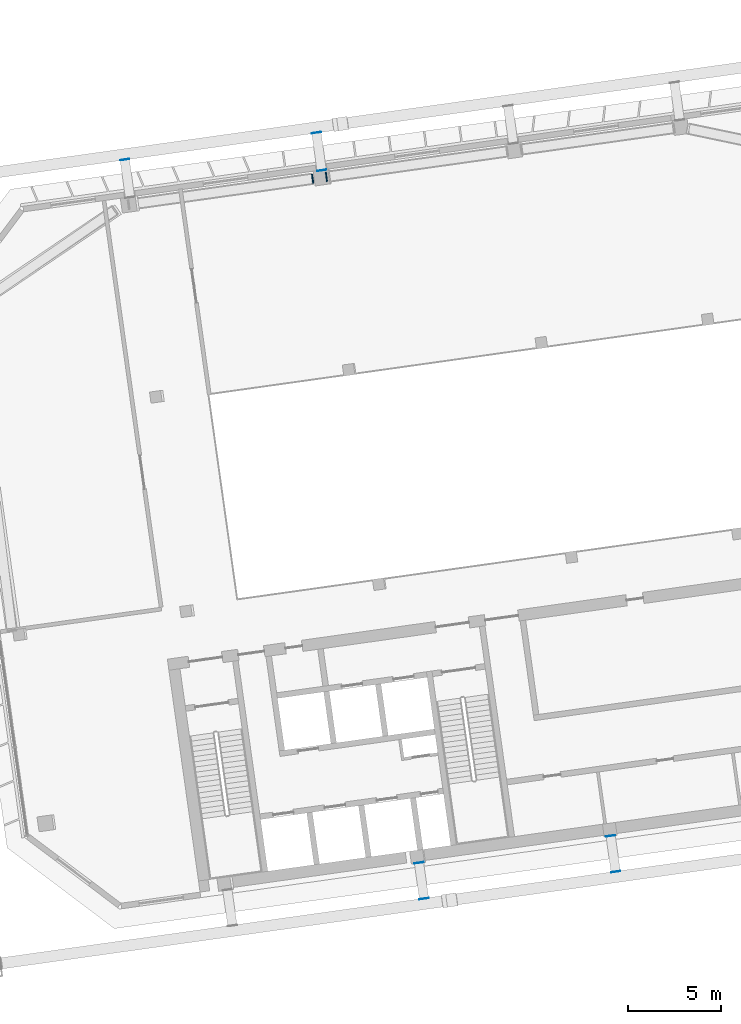
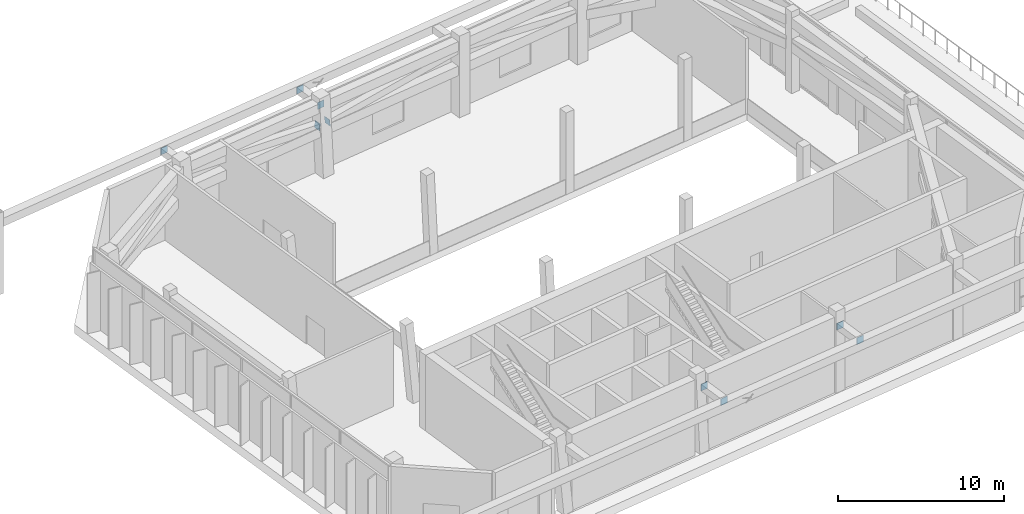
# One storey, part 25 of 29: 9 discrete accessories.
"""IFC4 building model written with IfcOpenShell, lengths in metres."""

from ifc_helpers import new_model, si_unit, direction, frame, origin, origin_2d, place, context, subcontext, project, spatial, rectangle, extrude, material, material_profile, profile_set, type_object, element, save


model = new_model("IFC4")

# Units and contexts
model_context = context("Model", 3, precision=1e-05, world=origin(), true_north=direction((0.0, 1.0)))
body_context = subcontext(model_context, "Body", "Model", "MODEL_VIEW")
ifc_project = project(units=[si_unit("LENGTHUNIT", "METRE"), si_unit("AREAUNIT", "SQUARE_METRE"), si_unit("VOLUMEUNIT", "CUBIC_METRE"), si_unit("PLANEANGLEUNIT", "RADIAN"), si_unit("MASSUNIT", "GRAM", prefix="KILO")], contexts=[model_context])

# Site, building, storey
site_placement = place(None, origin())
site = spatial("IfcSite", under=ifc_project, at=site_placement, CompositionType="ELEMENT")
building_placement = place(site_placement, origin())
building = spatial("IfcBuilding", under=site, at=building_placement, Name="Mirante Cascada Hotel Towers", CompositionType="ELEMENT")
storey_placement = place(building_placement, frame((0.0, 0.0, 210.6)))
storey = spatial("IfcBuildingStorey", under=building, at=storey_placement, Name="L50", CompositionType="ELEMENT", Elevation=210.6)

# Discrete accessories
ifc_material = material(Name="Steel ASTM A572 Gr 50", Category="steel")
ifc_material_profile = material_profile(ifc_material, rectangle(XDim=0.5, YDim=0.5, at=origin_2d()), Name="Connection plate 500x500x25 ASTM A572 Gr 50")
ifc_profile_set = profile_set([ifc_material_profile], Name="Steel ASTM A572 Gr 50")
discrete_accessory_type = type_object("IfcDiscreteAccessoryType", Name="Connection plate 500x500x25 ASTM A572 Gr 50", PredefinedType="BRACKET", material=ifc_profile_set)
for number, where, z_axis, x_axis, name in (
    (1, (43.3678, 18.3586, 3.7514), (0.9843466, 0.1360479, -0.1120394), (-0.1369099, 0.9905835, 0.0), "Connection plate BT50D"),
    (2, (44.1204, 18.4643, 3.7486), (0.9838033, 0.139972, 0.1119776), (-0.1408579, 0.9900298, 0.0), "Connection plate BT50D"),
    (3, (33.3207, 19.3777, 4.85), (-0.1397442, 0.9901876, 0.0), (-0.9901876, -0.1397442, 0.0), "Connection plate TIE"),
    (4, (43.8719, 18.8005, 4.85), (-0.1397442, 0.9901876, 0.0), (-0.9901876, -0.1397442, 0.0), "Connection plate TIE"),
):
    element("IfcDiscreteAccessory", number, at=place(storey_placement, frame(where, z_axis=z_axis, x_axis=x_axis)), inside=storey, type_object=discrete_accessory_type, Name=name, PredefinedType="BRACKET", context=body_context, shape_type="SweptSolid", body=[
        extrude(rectangle(XDim=0.5, YDim=0.5, at=origin_2d()), origin(), (0.0, 0.0, 1.0), 0.025),
    ])
for number, where, z_axis, x_axis, name in (
    (5, (43.588, 20.8207, 4.85), (-0.1402989, 0.9901092, 0.0), (-0.9901092, -0.1402989, 0.0), "Connection plate TIE"),
    (6, (49.0819, -18.2702, 4.85), (0.136366, -0.9906585, 0.0), (0.9906585, 0.136366, 0.0), "Connection plate TIE"),
    (7, (49.3519, -20.1913, 4.85), (0.136366, -0.9906585, 0.0), (0.9906585, 0.136366, 0.0), "Connection plate TIE"),
    (8, (59.3492, -16.8272, 4.85), (0.136366, -0.9906585, 0.0), (0.9906585, 0.136366, 0.0), "Connection plate TIE"),
):
    element("IfcDiscreteAccessory", number, at=place(storey_placement, frame(where, z_axis=z_axis, x_axis=x_axis)), inside=storey, type_object=discrete_accessory_type, Name=name, PredefinedType="BRACKET", context=body_context, shape_type="SweptSolid", body=[
        extrude(rectangle(XDim=0.5, YDim=0.5, at=origin_2d()), origin(), (0.0, 0.0, 1.0), 0.0249),
    ])
discrete_accessory_placement = place(storey_placement, frame((59.6192, -18.7483, 4.85), z_axis=(0.1358263, -0.9907327, 0.0), x_axis=(0.9907327, 0.1358263, 0.0)))
element("IfcDiscreteAccessory", 9, at=discrete_accessory_placement, inside=storey, type_object=discrete_accessory_type, Name="Connection plate TIE", PredefinedType="BRACKET", context=body_context, shape_type="SweptSolid", body=[
    extrude(rectangle(XDim=0.5, YDim=0.5, at=origin_2d()), origin(), (0.0, 0.0, 1.0), 0.025),
])

save(model, "model.ifc")
